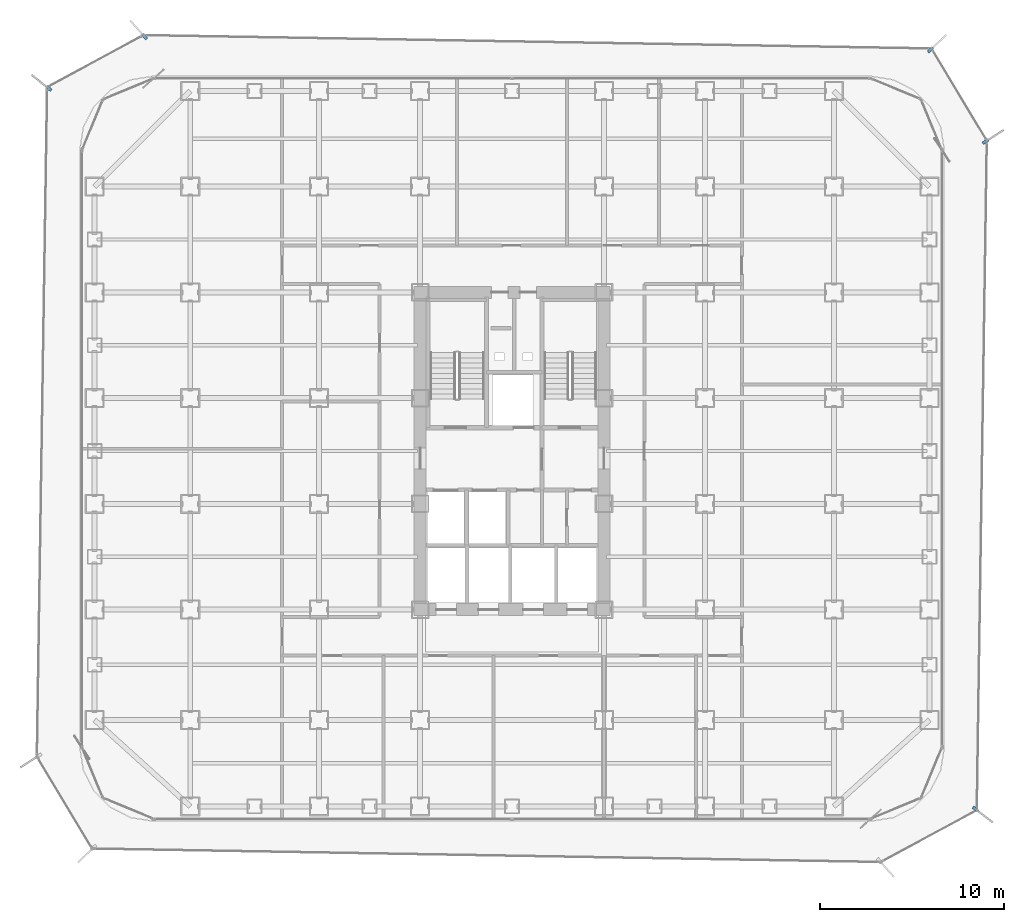
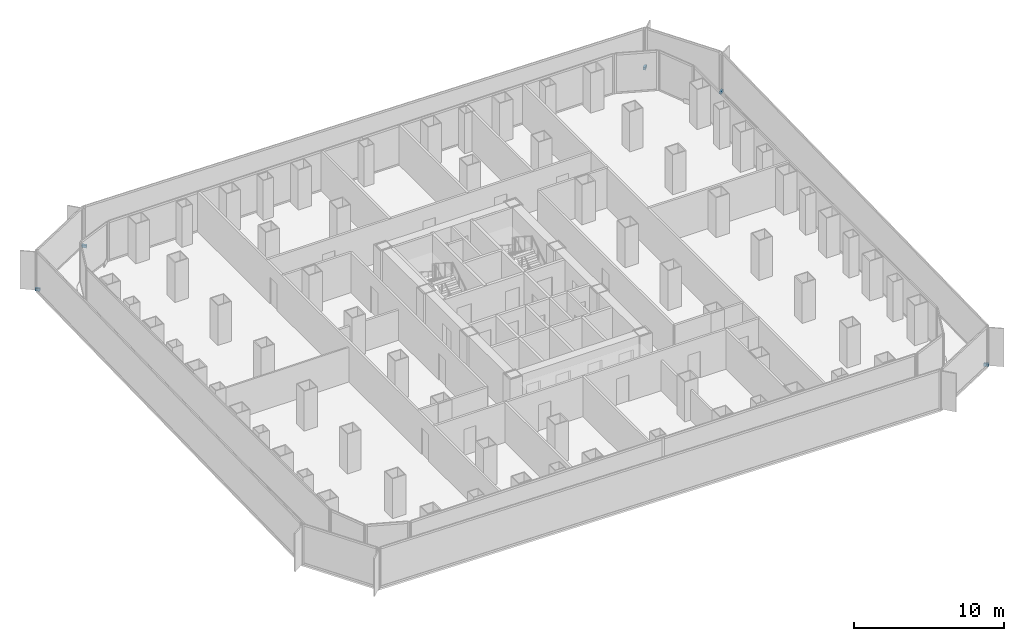
# One storey, part 19 of 22: 5 discrete accessories.
"""IFC4 building model written with IfcOpenShell, lengths in metres."""

from ifc_helpers import new_model, si_unit, direction, frame, origin, origin_2d, place, context, subcontext, project, spatial, rectangle, extrude, source, transform, mapped, material, type_object, element, save


model = new_model("IFC4")

# Units and contexts
model_context = context("Model", 3, precision=1e-05, world=origin(), true_north=direction((0.0, 1.0)))
body_context = subcontext(model_context, "Body", "Model", "MODEL_VIEW")
ifc_project = project(units=[si_unit("LENGTHUNIT", "METRE"), si_unit("AREAUNIT", "SQUARE_METRE"), si_unit("VOLUMEUNIT", "CUBIC_METRE"), si_unit("PLANEANGLEUNIT", "RADIAN"), si_unit("MASSUNIT", "GRAM", prefix="KILO")], contexts=[model_context])

# Site, building, storey
site_placement = place(None, origin())
site = spatial("IfcSite", under=ifc_project, at=site_placement, CompositionType="ELEMENT")
building_placement = place(site_placement, origin())
building = spatial("IfcBuilding", under=site, at=building_placement, Name="Kolveth Station Tower", CompositionType="ELEMENT")
storey_placement = place(building_placement, frame((0.0, 0.0, 72.89990234375)))
storey = spatial("IfcBuildingStorey", under=building, at=storey_placement, Name="L19", CompositionType="ELEMENT", Elevation=72.89990234375)

# Discrete accessories
ifc_material = material(Name="Steel S355", Category="steel")
discrete_accessory_type = type_object("IfcDiscreteAccessoryType", Name="Bracket_BK1", PredefinedType="BRACKET", material=ifc_material)
shared_shape = source(origin(), body_context, "Body", "SweptSolid", [
    extrude(rectangle(XDim=0.35009765625, YDim=0.159912109375, at=origin_2d()), origin(), (0.0, 0.0, 1.0), 0.219970703125),
])
for number, where, z_axis, x_axis, name in (
    (1, (48.701904296875, 0.652099609375, -0.06005859375), (0.0, 0.0, 1.0), (0.789405615633, -0.613871952452, 0.0), "L19 Double-Skin Radial Tie Bracket 2"),
    (2, (49.242919921875, 36.947021484375, -0.06005859375), (0.0, 0.0, 1.0), (0.838955625301, 0.544199833495, 0.0), "L19 Double-Skin Radial Tie Bracket 3"),
    (3, (46.2529296875, 41.93701171875, -0.06005859375), (0.0, 0.0, 1.0), (0.723810678237, 0.689998624687, 0.0), "L19 Double-Skin Radial Tie Bracket 4"),
    (4, (3.51806640625, 42.656005859375, -0.06005859375), (0.0, 0.0, 1.0), (-0.665621202286, 0.746289766155, 0.0), "L19 Double-Skin Radial Tie Bracket 5"),
    (5, (-1.696044921875, 39.843994140625, -0.06005859375), (0.0, 0.0, 1.0), (-0.789405615633, 0.613871952452, 0.0), "L19 Double-Skin Radial Tie Bracket 6"),
):
    element("IfcDiscreteAccessory", number, at=place(storey_placement, frame(where, z_axis=z_axis, x_axis=x_axis)), inside=storey, type_object=discrete_accessory_type, Name=name, PredefinedType="BRACKET", context=body_context, shape_type="MappedRepresentation", body=[
        mapped(shared_shape, transform((0.0, 0.0, 0.0), x_axis=(1.0, 0.0, 0.0), y_axis=(0.0, 1.0, 0.0), z_axis=(0.0, 0.0, 1.0), scale=1.0)),
    ])

save(model, "model.ifc")
